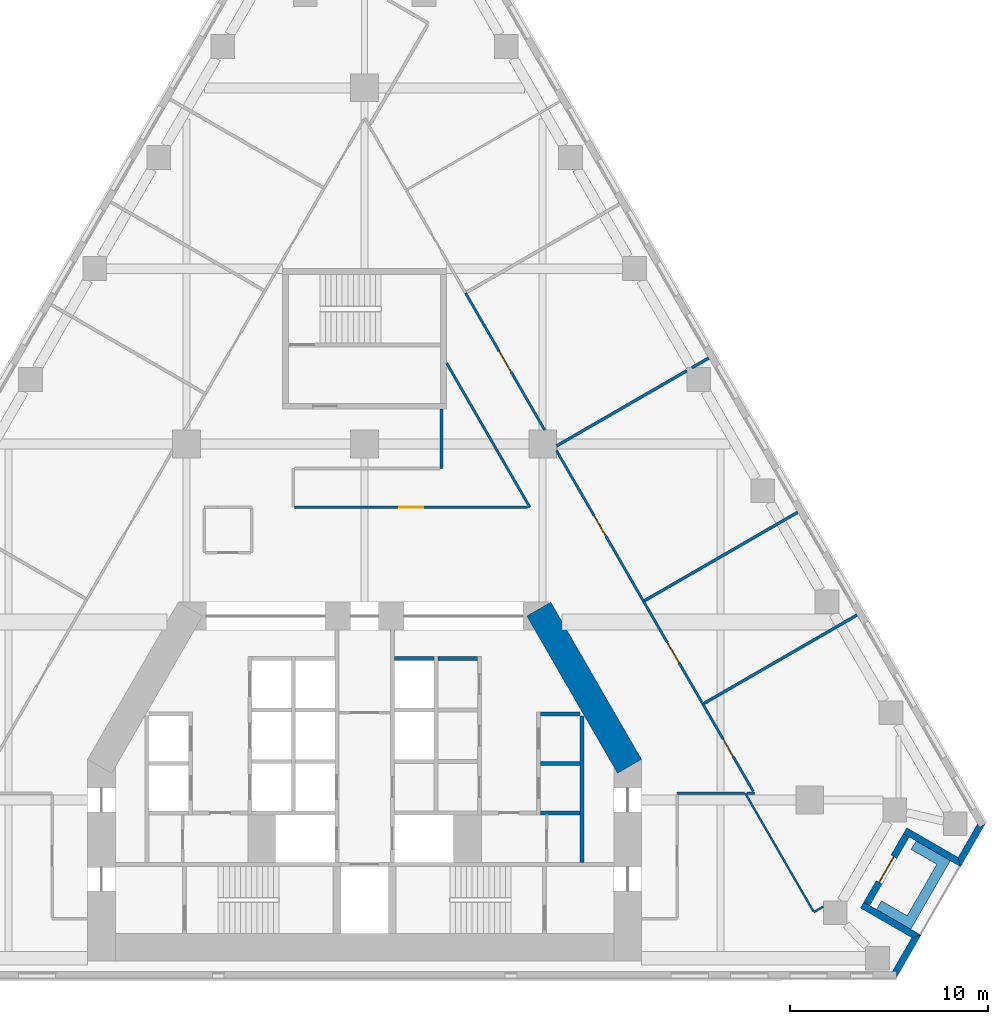
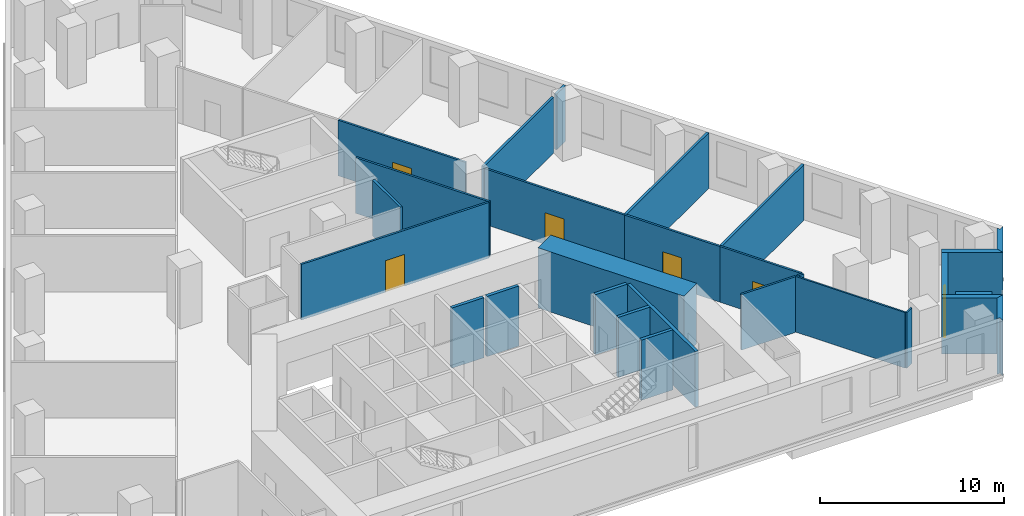
# One storey, part 6 of 9: 28 walls, 6 doors, 6 openings.
"""IFC4 building model written with IfcOpenShell, lengths in metres."""

from ifc_helpers import new_model, si_unit, direction, frame, frame_2d, origin, place, context, subcontext, project, spatial, polyline, rectangle, outline, extrude, material, layer, layer_set, type_object, element, fill, save


model = new_model("IFC4")

# Units and contexts
model_context = context("Model", 3, precision=1e-05, world=origin(), true_north=direction((0.0, 1.0)))
body_context = subcontext(model_context, "Body", "Model", "MODEL_VIEW")
ifc_project = project(units=[si_unit("LENGTHUNIT", "METRE"), si_unit("AREAUNIT", "SQUARE_METRE"), si_unit("VOLUMEUNIT", "CUBIC_METRE"), si_unit("PLANEANGLEUNIT", "RADIAN"), si_unit("MASSUNIT", "GRAM", prefix="KILO")], contexts=[model_context])

# Site, building, storey
site_placement = place(None, origin())
site = spatial("IfcSite", under=ifc_project, at=site_placement, CompositionType="ELEMENT")
building_placement = place(site_placement, origin())
building = spatial("IfcBuilding", under=site, at=building_placement, Name="Fogline Exchange Tower", CompositionType="ELEMENT")
storey_placement = place(building_placement, frame((0.0, 0.0, 64.89990234375)))
storey = spatial("IfcBuildingStorey", under=building, at=storey_placement, Name="L13", CompositionType="ELEMENT", Elevation=64.89990234375)

# Walls
ifc_material_1 = material(Name="Concrete C40", Category="concrete")
ifc_layer_1 = layer(ifc_material_1, 0.199951171875)
ifc_layer_set_1 = layer_set([ifc_layer_1], Name="CW20")
wall_type_1 = type_object("IfcWallType", Name="CW20", PredefinedType="SOLIDWALL", material=ifc_layer_set_1)
wall_1_placement = place(storey_placement, frame((11.0, 5.85009765625, 0.0), z_axis=(0.0, 0.0, 1.0), x_axis=(0.0, 1.0, 0.0)))
element("IfcWall", 1, at=wall_1_placement, inside=storey, type_object=wall_type_1, Name="Service room wall", PredefinedType="SOLIDWALL", context=body_context, shape_type="SweptSolid", body=[
    extrude(rectangle(XDim=7.39990234375, YDim=0.199951171875, at=frame_2d((3.699951171875, 0.0))), origin(), (0.0, 0.0, 1.0), 3.7001953125),
])
ifc_layer_2 = layer(ifc_material_1, 0.199951171875)
ifc_layer_set_2 = layer_set([ifc_layer_2], Name="CW20S")
wall_type_2 = type_object("IfcWallType", Name="CW20S", PredefinedType="SOLIDWALL", material=ifc_layer_set_2)
for number, where, z_axis, x_axis, name in (
    (2, (8.89990234375, 8.35009765625, -0.2998046875), (0.0, 0.0, 1.0), (1.0, 0.0, 0.0), "Lift shaft wall"),
    (3, (8.89990234375, 10.85009765625, -0.2998046875), (0.0, 0.0, 1.0), (1.0, 0.0, 0.0), "Lift shaft wall"),
    (4, (8.89990234375, 13.35009765625, -0.2998046875), (0.0, 0.0, 1.0), (1.0, 0.0, 0.0), "Lift shaft wall"),
    (5, (3.699951171875, 16.14990234375, -0.2998046875), (0.0, 0.0, 1.0), (1.0, 0.0, 0.0), "Lift shaft wall"),
    (6, (1.5, 16.14990234375, -0.2998046875), (0.0, 0.0, 1.0), (1.0, 0.0, 0.0), "Lift shaft wall"),
):
    element("IfcWall", number, at=place(storey_placement, frame(where, z_axis=z_axis, x_axis=x_axis)), inside=storey, type_object=wall_type_2, Name=name, PredefinedType="SOLIDWALL", context=body_context, shape_type="SweptSolid", body=[
        extrude(rectangle(XDim=2.0, YDim=0.199951171875, at=frame_2d((1.0, 0.0))), origin(), (0.0, 0.0, 1.0), 4.0),
    ])
ifc_material_2 = material(Name="Brick masonry", Category="masonry")
ifc_layer_3 = layer(ifc_material_2, 0.340087890625)
ifc_layer_set_3 = layer_set([ifc_layer_3], Name="FW1")
wall_type_3 = type_object("IfcWallType", Name="FW1", PredefinedType="SOLIDWALL", material=ifc_layer_set_3)
wall_2_placement = place(storey_placement, origin())
element("IfcWall", 7, at=wall_2_placement, inside=storey, type_object=wall_type_3, Name="Brick wall L13 SE-c1", PredefinedType="SOLIDWALL", context=body_context, shape_type="SweptSolid", body=[
    extrude(outline(polyline([(28.1337890625, 2.165771484375), (26.8828125, -0.001220703125), (26.88232421875, -0.0009765625), (26.88232421875, 0.33935546875), (26.685546875, 0.33935546875), (27.66796875, 2.041015625), (28.1337890625, 2.166015625), (28.1337890625, 2.165771484375)])), origin(), (0.0, 0.0, 1.0), 3.7001953125),
])
wall_3_placement = place(storey_placement, origin())
element("IfcWall", 8, at=wall_3_placement, inside=storey, type_object=wall_type_3, Name="Brick wall L13 SE-s1", PredefinedType="SOLIDWALL", context=body_context, shape_type="SweptSolid", body=[
    extrude(outline(polyline([(25.069580078125, 3.540283203125), (25.239990234375, 3.8359375), (25.53515625, 3.66552734375), (28.134033203125, 2.1650390625), (28.134033203125, 2.164794921875), (27.668212890625, 2.0400390625), (25.069580078125, 3.540283203125)])), origin(), (0.0, 0.0, 1.0), 3.7001953125),
])

# Wall, opening, door
wall_4_placement = place(storey_placement, frame((25.387451171875, 3.75, 0.0), z_axis=(0.0, 0.0, 1.0), x_axis=(0.49999894854, 0.866026010844, 0.0)))
wall_4 = element("IfcWall", 9, at=wall_4_placement, inside=storey, type_object=wall_type_3, Name="Brick wall L13 SE-bk", PredefinedType="SOLIDWALL", context=body_context, shape_type="SweptSolid", body=[
    extrude(rectangle(XDim=4.0, YDim=0.340087890625, at=frame_2d((2.0, 0.0))), origin(), (0.0, 0.0, 1.0), 3.7001953125),
])
opening_1_placement = place(wall_4_placement, frame((1.25, 0.0, 0.0)))
opening_1 = element("IfcOpeningElement", 10, at=opening_1_placement, cuts=wall_4, Name="Opening T04-E081", PredefinedType="OPENING", context=body_context, shape_type="SweptSolid", body=[
    extrude(rectangle(XDim=1.5, YDim=2.39990234375, at=frame_2d((0.75, 1.199951171875))), frame((0.0, 0.18017578125, 0.0), z_axis=(0.0, -1.0, 0.0), x_axis=(1.0, 0.0, 0.0)), (0.0, 0.0, 1.0), 0.360107421875),
])
ifc_material_3 = material(Name="Aluminium and glass", Category="aluminium")
door_type_1 = type_object("IfcDoorType", Name="ED4", OperationType="SINGLE_SWING_LEFT", PredefinedType="DOOR", material=ifc_material_3)
door_1_placement = place(opening_1_placement, frame((1.5, 0.0, 0.0), z_axis=(0.0, 0.0, 1.0), x_axis=(-1.0, 0.0, 0.0)))
door_1 = element("IfcDoor", 11, at=door_1_placement, inside=storey, type_object=door_type_1, Name="Balcony door L13 SE", OperationType="DOUBLE_DOOR_SINGLE_SWING", OverallHeight=2.39990234375, OverallWidth=1.5, PredefinedType="DOOR", context=body_context, shape_type="SweptSolid", body=[
    extrude(rectangle(XDim=1.5, YDim=2.39990234375, at=frame_2d((0.75, 1.199951171875))), frame((0.0, 0.02490234375, 0.0), z_axis=(0.0, -1.0, 0.0), x_axis=(1.0, 0.0, 0.0)), (0.0, 0.0, 1.0), 0.050048828125),
])
fill(opening_1, door_1)

# Walls
wall_5_placement = place(storey_placement, origin())
element("IfcWall", 12, at=wall_5_placement, inside=storey, type_object=wall_type_3, Name="Brick wall L13 SE-s2", PredefinedType="SOLIDWALL", context=body_context, shape_type="SweptSolid", body=[
    extrude(outline(polyline([(30.133544921875, 5.628173828125), (27.534423828125, 7.128662109375), (27.239501953125, 7.298828125), (27.41015625, 7.594482421875), (30.0087890625, 6.093994140625), (30.1337890625, 5.62841796875), (30.133544921875, 5.628173828125)])), origin(), (0.0, 0.0, 1.0), 3.7001953125),
])
wall_6_placement = place(storey_placement, origin())
element("IfcWall", 13, at=wall_6_placement, inside=storey, type_object=wall_type_3, Name="Brick wall L13 SE-c2", PredefinedType="SOLIDWALL", context=body_context, shape_type="SweptSolid", body=[
    extrude(outline(polyline([(30.990234375, 7.79541015625), (31.088623046875, 7.625), (31.383544921875, 7.79541015625), (31.3837890625, 7.794921875), (30.1328125, 5.6279296875), (30.132568359375, 5.6279296875), (30.0078125, 6.09375), (30.990234375, 7.79541015625)])), origin(), (0.0, 0.0, 1.0), 3.7001953125),
])
ifc_material_4 = material(Name="Concrete C30", Category="concrete")
ifc_layer_4 = layer(ifc_material_4, 0.199951171875)
ifc_layer_set_4 = layer_set([ifc_layer_4], Name="PL1")
wall_type_4 = type_object("IfcWallType", Name="PL1", PredefinedType="USERDEFINED", material=ifc_layer_set_4)
wall_7_placement = place(storey_placement, origin())
element("IfcWall", 14, at=wall_7_placement, inside=storey, type_object=wall_type_4, Name="PLANTER balcony L13 SE", ObjectType="PLANTER", PredefinedType="USERDEFINED", context=body_context, shape_type="SweptSolid", body=[
    extrude(outline(polyline([(25.881103515625, 3.465087890625), (27.18017578125, 2.715087890625), (27.18017578125, 2.715087890625), (27.61328125, 2.465087890625), (29.36328125, 5.49609375), (29.61328125, 5.92919921875), (27.881103515625, 6.92919921875), (27.631103515625, 6.49609375), (28.93017578125, 5.74609375), (27.43017578125, 3.148193359375), (26.131103515625, 3.898193359375), (25.881103515625, 3.465087890625)])), origin(), (0.0, 0.0, 1.0), 1.10009765625),
])
ifc_material_5 = material(Name="Plasterboard partition, 2 layers each side on steel studs", Category="steel")
ifc_layer_5 = layer(ifc_material_5, 0.10009765625)
ifc_layer_set_5 = layer_set([ifc_layer_5], Name="PW1")
wall_type_5 = type_object("IfcWallType", Name="PW1", PredefinedType="PARTITIONING", material=ifc_layer_set_5)
wall_8_placement = place(storey_placement, frame((19.24365234375, 9.340087890625, 0.0), z_axis=(0.0, 0.0, 1.0), x_axis=(0.500004737999, -0.866022668282, 0.0)))
element("IfcWall", 15, at=wall_8_placement, inside=storey, type_object=wall_type_5, Name="wall-L13-W047", PredefinedType="PARTITIONING", context=body_context, shape_type="SweptSolid", body=[
    extrude(rectangle(XDim=6.8876953125, YDim=0.10009765625, at=frame_2d((3.44384765625, 0.0))), origin(), (0.0, 0.0, 1.0), 3.7001953125),
])
wall_9_placement = place(storey_placement, frame((22.71240234375, 3.331787109375, 0.0), z_axis=(0.0, 0.0, 1.0), x_axis=(0.865894509735, 0.500226646643, 0.0)))
element("IfcWall", 16, at=wall_9_placement, inside=storey, type_object=wall_type_5, Name="wall-L13-W048", PredefinedType="PARTITIONING", context=body_context, shape_type="SweptSolid", body=[
    extrude(rectangle(XDim=0.558837890625, YDim=0.10009765625, at=frame_2d((0.279296875, 0.0))), origin(), (0.0, 0.0, 1.0), 3.7001953125),
])

# Wall, opening, door
ifc_material_6 = material(Name="Plasterboard corridor partition with mineral wool, 2 layers each side")
ifc_layer_6 = layer(ifc_material_6, 0.125)
ifc_layer_set_6 = layer_set([ifc_layer_6], Name="PW2")
wall_type_6 = type_object("IfcWallType", Name="PW2", PredefinedType="PARTITIONING", material=ifc_layer_set_6)
wall_10_placement = place(storey_placement, frame((-3.53759765625, 23.800048828125, 0.0), z_axis=(0.0, 0.0, 1.0), x_axis=(1.0, 0.0, 0.0)))
wall_10 = element("IfcWall", 17, at=wall_10_placement, inside=storey, type_object=wall_type_6, Name="wall-L13-W003", PredefinedType="PARTITIONING", context=body_context, shape_type="SweptSolid", body=[
    extrude(rectangle(XDim=11.78369140625, YDim=0.125, at=frame_2d((5.891845703125, 0.0))), origin(), (0.0, 0.0, 1.0), 3.7001953125),
])
opening_2_placement = place(wall_10_placement, frame((5.291748046875, 0.0, 0.0)))
opening_2 = element("IfcOpeningElement", 18, at=opening_2_placement, cuts=wall_10, Name="Opening T04-D002", PredefinedType="OPENING", context=body_context, shape_type="SweptSolid", body=[
    extrude(rectangle(XDim=1.199951171875, YDim=2.10009765625, at=frame_2d((0.60009765625, 1.050048828125))), frame((0.0, 0.072509765625, 0.0), z_axis=(0.0, -1.0, 0.0), x_axis=(1.0, 0.0, 0.0)), (0.0, 0.0, 1.0), 0.14501953125),
])
ifc_material_7 = material(Name="Fire-rated glazed door leaf with steel frame", Category="steel")
door_type_2 = type_object("IfcDoorType", Name="D5", OperationType="SINGLE_SWING_LEFT", PredefinedType="DOOR", material=ifc_material_7)
door_2_placement = place(opening_2_placement, origin())
door_2 = element("IfcDoor", 19, at=door_2_placement, inside=storey, type_object=door_type_2, Name="door-L13-D002", OperationType="SINGLE_SWING_RIGHT", OverallHeight=2.10009765625, OverallWidth=1.199951171875, PredefinedType="DOOR", context=body_context, shape_type="SweptSolid", body=[
    extrude(rectangle(XDim=1.199951171875, YDim=2.10009765625, at=frame_2d((0.60009765625, 1.050048828125))), frame((0.0, 0.02490234375, 0.0), z_axis=(0.0, -1.0, 0.0), x_axis=(1.0, 0.0, 0.0)), (0.0, 0.0, 1.0), 0.050048828125),
])
fill(opening_2, door_2)

wall_11_placement = place(storey_placement, frame((9.699951171875, 26.669921875, 0.0), z_axis=(0.0, 0.0, 1.0), x_axis=(0.50001609147, -0.866016113171, 0.0)))
wall_11 = element("IfcWall", 20, at=wall_11_placement, inside=storey, type_object=wall_type_6, Name="wall-L13-W009", PredefinedType="PARTITIONING", context=body_context, shape_type="SweptSolid", body=[
    extrude(rectangle(XDim=8.804443359375, YDim=0.125, at=frame_2d((4.40234375, 0.0))), origin(), (0.0, 0.0, 1.0), 3.7001953125),
])
opening_3_placement = place(wall_11_placement, frame((3.80224609375, 0.0, 0.0)))
opening_3 = element("IfcOpeningElement", 21, at=opening_3_placement, cuts=wall_11, Name="Opening T04-D005", PredefinedType="OPENING", context=body_context, shape_type="SweptSolid", body=[
    extrude(rectangle(XDim=1.199951171875, YDim=2.10009765625, at=frame_2d((0.60009765625, 1.050048828125))), frame((0.0, 0.072509765625, 0.0), z_axis=(0.0, -1.0, 0.0), x_axis=(1.0, 0.0, 0.0)), (0.0, 0.0, 1.0), 0.14501953125),
])
door_3_placement = place(opening_3_placement, origin())
door_3 = element("IfcDoor", 22, at=door_3_placement, inside=storey, type_object=door_type_2, Name="door-L13-D005", OperationType="SINGLE_SWING_RIGHT", OverallHeight=2.10009765625, OverallWidth=1.199951171875, PredefinedType="DOOR", context=body_context, shape_type="SweptSolid", body=[
    extrude(rectangle(XDim=1.199951171875, YDim=2.10009765625, at=frame_2d((0.60009765625, 1.050048828125))), frame((0.0, 0.02490234375, 0.0), z_axis=(0.0, -1.0, 0.0), x_axis=(1.0, 0.0, 0.0)), (0.0, 0.0, 1.0), 0.050048828125),
])
fill(opening_3, door_3)

wall_12_placement = place(storey_placement, frame((5.102294921875, 34.633544921875, 0.0), z_axis=(0.0, 0.0, 1.0), x_axis=(0.499982900776, -0.866035275801, 0.0)))
wall_12 = element("IfcWall", 23, at=wall_12_placement, inside=storey, type_object=wall_type_6, Name="wall-L13-W010", PredefinedType="PARTITIONING", context=body_context, shape_type="SweptSolid", body=[
    extrude(rectangle(XDim=8.006103515625, YDim=0.125, at=frame_2d((4.0029296875, 0.0))), origin(), (0.0, 0.0, 1.0), 3.7001953125),
])
opening_4_placement = place(wall_12_placement, frame((3.403076171875, 0.0, 0.0)))
opening_4 = element("IfcOpeningElement", 24, at=opening_4_placement, cuts=wall_12, Name="Opening T04-D006", PredefinedType="OPENING", context=body_context, shape_type="SweptSolid", body=[
    extrude(rectangle(XDim=1.199951171875, YDim=2.10009765625, at=frame_2d((0.60009765625, 1.050048828125))), frame((0.0, 0.072509765625, 0.0), z_axis=(0.0, -1.0, 0.0), x_axis=(1.0, 0.0, 0.0)), (0.0, 0.0, 1.0), 0.14501953125),
])
door_4_placement = place(opening_4_placement, origin())
door_4 = element("IfcDoor", 25, at=door_4_placement, inside=storey, type_object=door_type_2, Name="door-L13-D006", OperationType="SINGLE_SWING_LEFT", OverallHeight=2.10009765625, OverallWidth=1.199951171875, PredefinedType="DOOR", context=body_context, shape_type="SweptSolid", body=[
    extrude(rectangle(XDim=1.199951171875, YDim=2.10009765625, at=frame_2d((0.60009765625, 1.050048828125))), frame((0.0, 0.02490234375, 0.0), z_axis=(0.0, -1.0, 0.0), x_axis=(1.0, 0.0, 0.0)), (0.0, 0.0, 1.0), 0.050048828125),
])
fill(opening_4, door_4)

# Walls
wall_13_placement = place(storey_placement, frame((8.354736328125, 23.800048828125, 0.0), z_axis=(0.0, 0.0, 1.0), x_axis=(-0.500001396097, 0.866024597746, 0.0)))
element("IfcWall", 26, at=wall_13_placement, inside=storey, type_object=wall_type_6, Name="wall-L13-W011", PredefinedType="PARTITIONING", context=body_context, shape_type="SweptSolid", body=[
    extrude(rectangle(XDim=8.40966796875, YDim=0.125, at=frame_2d((4.204833984375, 0.0))), origin(), (0.0, 0.0, 1.0), 3.7001953125),
])
wall_14_placement = place(storey_placement, frame((19.19970703125, 9.340087890625, 0.0), z_axis=(0.0, 0.0, 1.0), x_axis=(-1.0, 0.0, 0.0)))
element("IfcWall", 27, at=wall_14_placement, inside=storey, type_object=wall_type_6, Name="wall-L13-W025", PredefinedType="PARTITIONING", context=body_context, shape_type="SweptSolid", body=[
    extrude(rectangle(XDim=3.399658203125, YDim=0.125, at=frame_2d((1.69970703125, 0.0))), origin(), (0.0, 0.0, 1.0), 3.7001953125),
])

# Wall, opening, door
wall_15_placement = place(storey_placement, frame((17.102294921875, 13.84912109375, 0.0), z_axis=(0.0, 0.0, 1.0), x_axis=(0.499971184285, -0.866042039906, 0.0)))
wall_15 = element("IfcWall", 28, at=wall_15_placement, inside=storey, type_object=wall_type_6, Name="wall-L13-W026", PredefinedType="PARTITIONING", context=body_context, shape_type="SweptSolid", body=[
    extrude(rectangle(XDim=5.097900390625, YDim=0.125, at=frame_2d((2.548828125, 0.0))), origin(), (0.0, 0.0, 1.0), 3.7001953125),
])
opening_5_placement = place(wall_15_placement, frame((2.048828125, 0.0, 0.0)))
opening_5 = element("IfcOpeningElement", 29, at=opening_5_placement, cuts=wall_15, Name="Opening T04-D015", PredefinedType="OPENING", context=body_context, shape_type="SweptSolid", body=[
    extrude(rectangle(XDim=1.0, YDim=2.10009765625, at=frame_2d((0.5, 1.050048828125))), frame((0.0, 0.072509765625, 0.0), z_axis=(0.0, -1.0, 0.0), x_axis=(1.0, 0.0, 0.0)), (0.0, 0.0, 1.0), 0.14501953125),
])
ifc_material_8 = material(Name="Fire-rated timber door leaf with steel frame", Category="steel")
door_type_3 = type_object("IfcDoorType", Name="D3", OperationType="SINGLE_SWING_LEFT", PredefinedType="DOOR", material=ifc_material_8)
door_5_placement = place(opening_5_placement, origin())
door_5 = element("IfcDoor", 30, at=door_5_placement, inside=storey, type_object=door_type_3, Name="door-L13-D015", OperationType="SINGLE_SWING_RIGHT", OverallHeight=2.10009765625, OverallWidth=1.0, PredefinedType="DOOR", context=body_context, shape_type="SweptSolid", body=[
    extrude(rectangle(XDim=1.0, YDim=2.10009765625, at=frame_2d((0.5, 1.050048828125))), frame((0.0, 0.02490234375, 0.0), z_axis=(0.0, -1.0, 0.0), x_axis=(1.0, 0.0, 0.0)), (0.0, 0.0, 1.0), 0.050048828125),
])
fill(opening_5, door_5)

# Wall
wall_16_placement = place(storey_placement, frame((19.70556640625, 9.340087890625, 0.0), z_axis=(0.0, 0.0, 1.0), x_axis=(-1.0, 0.0, 0.0)))
element("IfcWall", 31, at=wall_16_placement, inside=storey, type_object=wall_type_6, Name="wall-L13-W027", PredefinedType="PARTITIONING", context=body_context, shape_type="SweptSolid", body=[
    extrude(rectangle(XDim=0.36767578125, YDim=0.125, at=frame_2d((0.183837890625, 0.0))), origin(), (0.0, 0.0, 1.0), 3.7001953125),
])

# Wall, opening, door
wall_17_placement = place(storey_placement, frame((14.102294921875, 19.045166015625, 0.0), z_axis=(0.0, 0.0, 1.0), x_axis=(0.500007758305, -0.866020924479, 0.0)))
wall_17 = element("IfcWall", 32, at=wall_17_placement, inside=storey, type_object=wall_type_6, Name="wall-L13-W028", PredefinedType="PARTITIONING", context=body_context, shape_type="SweptSolid", body=[
    extrude(rectangle(XDim=6.0, YDim=0.125, at=frame_2d((3.0, 0.0))), origin(), (0.0, 0.0, 1.0), 3.7001953125),
])
opening_6_placement = place(wall_17_placement, frame((2.39990234375, 0.0, 0.0)))
opening_6 = element("IfcOpeningElement", 33, at=opening_6_placement, cuts=wall_17, Name="Opening T04-D016", PredefinedType="OPENING", context=body_context, shape_type="SweptSolid", body=[
    extrude(rectangle(XDim=1.199951171875, YDim=2.10009765625, at=frame_2d((0.60009765625, 1.050048828125))), frame((0.0, 0.072509765625, 0.0), z_axis=(0.0, -1.0, 0.0), x_axis=(1.0, 0.0, 0.0)), (0.0, 0.0, 1.0), 0.14501953125),
])
door_6_placement = place(opening_6_placement, origin())
door_6 = element("IfcDoor", 34, at=door_6_placement, inside=storey, type_object=door_type_2, Name="door-L13-D016", OperationType="SINGLE_SWING_RIGHT", OverallHeight=2.10009765625, OverallWidth=1.199951171875, PredefinedType="DOOR", context=body_context, shape_type="SweptSolid", body=[
    extrude(rectangle(XDim=1.199951171875, YDim=2.10009765625, at=frame_2d((0.60009765625, 1.050048828125))), frame((0.0, 0.02490234375, 0.0), z_axis=(0.0, -1.0, 0.0), x_axis=(1.0, 0.0, 0.0)), (0.0, 0.0, 1.0), 0.050048828125),
])
fill(opening_6, door_6)

# Walls
ifc_material_9 = material(Name="Plasterboard demising partition with mineral wool and acoustic board")
ifc_layer_7 = layer(ifc_material_9, 0.14990234375)
ifc_layer_set_7 = layer_set([ifc_layer_7], Name="PW3")
wall_type_7 = type_object("IfcWallType", Name="PW3", PredefinedType="PARTITIONING", material=ifc_layer_set_7)
wall_18_placement = place(storey_placement, frame((9.699951171875, 26.89599609375, 0.0), z_axis=(0.0, 0.0, 1.0), x_axis=(0.866034903993, 0.499983544795, 0.0)))
element("IfcWall", 35, at=wall_18_placement, inside=storey, type_object=wall_type_7, Name="wall-L13-W033", PredefinedType="PARTITIONING", context=body_context, shape_type="SweptSolid", body=[
    extrude(rectangle(XDim=7.608642578125, YDim=0.14990234375, at=frame_2d((3.80419921875, 0.0))), origin(), (0.0, 0.0, 1.0), 3.7001953125),
])
wall_19_placement = place(storey_placement, frame((16.5537109375, 30.852783203125, 0.0), z_axis=(0.0, 0.0, 1.0), x_axis=(0.866026830048, 0.499997529631, 0.0)))
element("IfcWall", 36, at=wall_19_placement, inside=storey, type_object=wall_type_7, Name="wall-L13-W034", PredefinedType="PARTITIONING", context=body_context, shape_type="SweptSolid", body=[
    extrude(rectangle(XDim=0.97314453125, YDim=0.14990234375, at=frame_2d((0.486572265625, 0.0))), origin(), (0.0, 0.0, 1.0), 3.7001953125),
])
for number, where, z_axis, x_axis, name in (
    (37, (21.896484375, 23.545166015625, 0.0), (0.0, 0.0, 1.0), (-0.866029105215, -0.49999358888, 0.0), "wall-L13-W035"),
    (38, (17.15625, 13.88037109375, 0.0), (0.0, 0.0, 1.0), (0.866029105215, 0.49999358888, 0.0), "wall-L13-W049"),
):
    element("IfcWall", number, at=place(storey_placement, frame(where, z_axis=z_axis, x_axis=x_axis)), inside=storey, type_object=wall_type_7, Name=name, PredefinedType="PARTITIONING", context=body_context, shape_type="SweptSolid", body=[
        extrude(rectangle(XDim=8.9375, YDim=0.14990234375, at=frame_2d((4.46875, 0.0))), origin(), (0.0, 0.0, 1.0), 3.7001953125),
    ])
ifc_material_10 = material(Name="Plasterboard stair lobby partition, 3 layers each side on steel studs", Category="steel")
ifc_layer_8 = layer(ifc_material_10, 0.14990234375)
ifc_layer_set_8 = layer_set([ifc_layer_8], Name="PW4")
wall_type_8 = type_object("IfcWallType", Name="PW4", PredefinedType="PARTITIONING", material=ifc_layer_set_8)
wall_20_placement = place(storey_placement, frame((3.89990234375, 28.757080078125, 0.0), z_axis=(0.0, 0.0, 1.0), x_axis=(0.0, -1.0, 0.0)))
element("IfcWall", 39, at=wall_20_placement, inside=storey, type_object=wall_type_8, Name="wall-L13-W029", PredefinedType="PARTITIONING", context=body_context, shape_type="SweptSolid", body=[
    extrude(rectangle(XDim=3.0, YDim=0.14990234375, at=frame_2d((1.5, 0.0))), origin(), (0.0, 0.0, 1.0), 3.7001953125),
])
ifc_material_11 = material(Name="Concrete C60", Category="concrete")
ifc_layer_9 = layer(ifc_material_11, 1.39990234375)
ifc_layer_set_9 = layer_set([ifc_layer_9], Name="SW01")
wall_type_9 = type_object("IfcWallType", Name="SW01", PredefinedType="SHEAR", material=ifc_layer_set_9)
wall_21_placement = place(storey_placement, frame((13.393798828125, 10.70263671875, 0.0), z_axis=(0.0, 0.0, 1.0), x_axis=(-0.50000187635, 0.866024320471, 0.0)))
element("IfcWall", 40, at=wall_21_placement, inside=storey, type_object=wall_type_9, Name="L13-W903", PredefinedType="SHEAR", context=body_context, shape_type="SweptSolid", body=[
    extrude(rectangle(XDim=9.1767578125, YDim=1.39990234375, at=frame_2d((4.58837890625, 0.0))), origin(), (0.0, 0.0, 1.0), 4.0),
])

save(model, "model.ifc")
